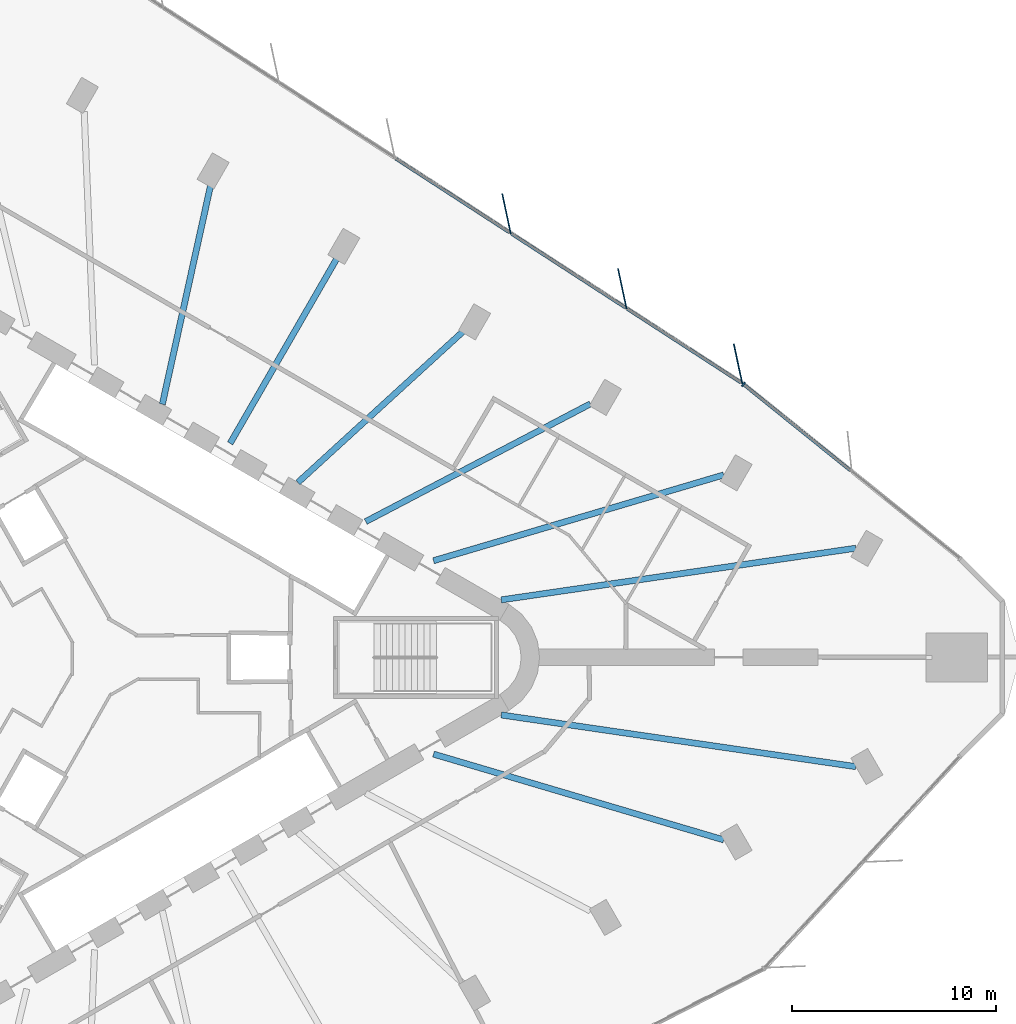
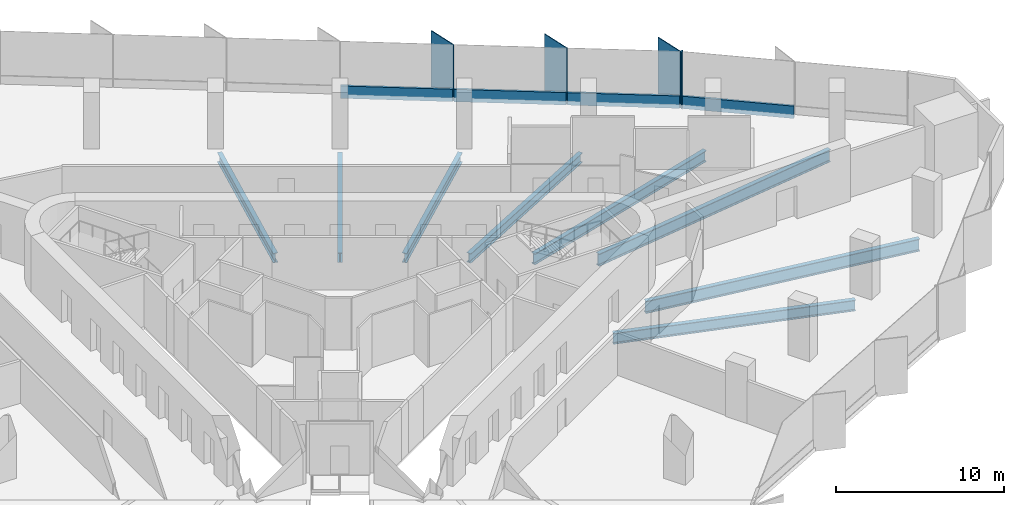
# One storey, part 5 of 14: 8 beams, 8 members, 2 elements without a shape of their own.
"""IFC4 building model written with IfcOpenShell, lengths in metres."""

import ifcopenshell
import ifcopenshell.guid

model = None  # the IFC model being written
_history = None  # IfcOwnerHistory: only IFC2X3 demands one
_inside = {}  # id of a spatial element -> (the spatial element, [elements in it])
_under = {}  # id of a project, library or spatial element -> (it, [spatial elements below it])
_declared = {}  # id of a project -> (the project, [libraries it declares])
_typed = {}  # id of a type object -> (the type object, [elements of that type])
_made_of = {}  # id of a material, layer set ... -> (it, [elements and type objects made of it])


def new_model(schema):
    """Start an empty IFC model of exactly this schema.

    Asked for "IFC4X3", IfcOpenShell would pick the latest addendum, in which some entities
    have other attributes; the version numbers below select the first issue.
    IFC2X3 requires an IfcOwnerHistory on every rooted entity: one is made here for all.
    """
    global model, _history
    if schema == "IFC4X3":
        model = ifcopenshell.file(schema_version=(4, 3, 0, 0))
    else:
        model = ifcopenshell.file(schema=schema)
    _inside.clear()
    _under.clear()
    _declared.clear()
    _typed.clear()
    _made_of.clear()
    _history = None
    if model.schema == "IFC2X3":
        org = make("IfcOrganization", Name="unknown")
        user = make(
            "IfcPersonAndOrganization",
            ThePerson=make("IfcPerson", FamilyName="unknown"),
            TheOrganization=org,
        )
        app = make(
            "IfcApplication",
            ApplicationDeveloper=org,
            Version="unknown",
            ApplicationFullName="unknown",
            ApplicationIdentifier="unknown",
        )
        _history = make(
            "IfcOwnerHistory",
            OwningUser=user,
            OwningApplication=app,
            ChangeAction="ADDED",
            CreationDate=0,
        )
    return model


def make(cls, **values):
    """One entity of the class cls with the attributes given. An attribute that is None is left unset."""
    return model.create_entity(
        cls, **{name: value for name, value in values.items() if value is not None}
    )


def rooted(cls, **values):
    """An entity with a GlobalId (a new one), such as an element, a storey or a relation."""
    return make(cls, GlobalId=ifcopenshell.guid.new(), OwnerHistory=_history, **values)


def si_unit(unit_type, name, prefix=None):
    """IfcSIUnit, for example si_unit("LENGTHUNIT", "METRE", prefix="MILLI")."""
    return make("IfcSIUnit", UnitType=unit_type, Prefix=prefix, Name=name)


def assignment(units):
    """IfcUnitAssignment: the units of a project."""
    return None if units is None else make("IfcUnitAssignment", Units=units)


def point(xyz):
    """IfcCartesianPoint."""
    return None if xyz is None else make("IfcCartesianPoint", Coordinates=xyz)


def direction(xyz):
    """IfcDirection."""
    return None if xyz is None else make("IfcDirection", DirectionRatios=xyz)


def frame(location, z_axis=None, x_axis=None):
    """IfcAxis2Placement3D, a coordinate frame: its origin and axes. An axis left out is left unset."""
    return make(
        "IfcAxis2Placement3D",
        Location=point(location),
        Axis=direction(z_axis),
        RefDirection=direction(x_axis),
    )


def frame_2d(location, x_axis=None):
    """IfcAxis2Placement2D, a coordinate frame in the plane: its origin and x axis."""
    return make(
        "IfcAxis2Placement2D", Location=point(location), RefDirection=direction(x_axis)
    )


def origin():
    """The frame at (0, 0, 0) with its axes left unset."""
    return frame((0.0, 0.0, 0.0))


def origin_2d():
    """The frame at (0, 0) in the plane with its x axis left unset."""
    return frame_2d((0.0, 0.0))


def place(relative_to, where):
    """IfcLocalPlacement: puts the frame where relative to a parent placement (None: the world)."""
    return make(
        "IfcLocalPlacement", PlacementRelTo=relative_to, RelativePlacement=where
    )


def context(
    kind, dimensions, precision=None, world=None, true_north=None, identifier=None
):
    """IfcGeometricRepresentationContext, for example the 3D "Model" context."""
    return make(
        "IfcGeometricRepresentationContext",
        ContextIdentifier=identifier,
        ContextType=kind,
        CoordinateSpaceDimension=dimensions,
        Precision=precision,
        WorldCoordinateSystem=world,
        TrueNorth=true_north,
    )


def subcontext(parent, identifier, kind, view, scale=None):
    """IfcGeometricRepresentationSubContext, for example "Body" below "Model"."""
    return make(
        "IfcGeometricRepresentationSubContext",
        ContextIdentifier=identifier,
        ContextType=kind,
        ParentContext=parent,
        TargetScale=scale,
        TargetView=view,
    )


def project(units=None, contexts=None):
    """IfcProject with its units and contexts."""
    return rooted(
        "IfcProject",
        Name="project",
        RepresentationContexts=contexts,
        UnitsInContext=assignment(units),
    )


def spatial(cls, under=None, at=None, **own):
    """A site, building, storey or space (cls), placed at a placement, below another one or the project."""
    s = rooted(cls, ObjectPlacement=at, **own)
    if under is not None:
        _under.setdefault(under.id(), (under, []))[1].append(s)
    return s


def profile(cls, at=None, kind="AREA", **sizes):
    """A parametric profile (cls). Its sizes go by their IFC names, for example OverallWidth=200.0."""
    return make(cls, ProfileType=kind, Position=at, **sizes)


def rectangle(**sizes):
    """IfcRectangleProfileDef."""
    return profile("IfcRectangleProfileDef", **sizes)


def i_section(**sizes):
    """IfcIShapeProfileDef."""
    return profile("IfcIShapeProfileDef", **sizes)


def extrude(swept, where, along, depth):
    """IfcExtrudedAreaSolid: the profile swept, set in the frame where, extruded along a direction by depth."""
    return make(
        "IfcExtrudedAreaSolid",
        SweptArea=swept,
        Position=where,
        ExtrudedDirection=direction(along),
        Depth=depth,
    )


def shape(context_of_items, identifier, shape_type, items):
    """IfcShapeRepresentation: the items that make up one representation, for example the "Body"."""
    return make(
        "IfcShapeRepresentation",
        ContextOfItems=context_of_items,
        RepresentationIdentifier=identifier,
        RepresentationType=shape_type,
        Items=items,
    )


def material(Name=None, Category=None):
    """IfcMaterial."""
    return make("IfcMaterial", Name=Name, Category=Category)


def material_profile(
    of_material, cross_section, Name=None, Category=None, Priority=None
):
    """IfcMaterialProfile: a cross section and its material."""
    return make(
        "IfcMaterialProfile",
        Name=Name,
        Material=of_material,
        Profile=cross_section,
        Priority=Priority,
        Category=Category,
    )


def profile_set(profiles, Name=None, composite=None):
    """IfcMaterialProfileSet."""
    return make(
        "IfcMaterialProfileSet",
        Name=Name,
        MaterialProfiles=profiles,
        CompositeProfile=composite,
    )


def made_of(thing, what):
    """Note that an element or type object is made of a material, layer set ...; save() writes the relation."""
    if what is not None:
        _made_of.setdefault(what.id(), (what, []))[1].append(thing)
    return thing


def type_object(cls, material=None, **own):
    """A type object (cls), such as IfcWallType, which elements share."""
    return made_of(rooted(cls, **own), material)


def element(
    cls,
    number,
    at=None,
    inside=None,
    cuts=None,
    type_object=None,
    material=None,
    context=None,
    identifier="Body",
    shape_type=None,
    held_by="IfcProductDefinitionShape",
    body=None,
    shapes=None,
    **own,
):
    """One element of the class cls, such as IfcWall. Its Tag is "e" and its number.

    at: its placement. inside: the storey or other place that contains it. cuts: it is an
    opening in that element (IfcRelVoidsElement). A single representation is given by context,
    identifier, shape_type and body (its items); several are given by shapes. held_by: the class
    of the entity that holds the representations. save() writes the other relations.
    """
    e = rooted(cls, Tag="e%d" % number, ObjectPlacement=at, **own)
    if body is not None:
        shapes = [shape(context, identifier, shape_type, body)]
    if shapes is not None:
        e.Representation = make(held_by, Representations=shapes)
    if inside is not None:
        _inside.setdefault(inside.id(), (inside, []))[1].append(e)
    if cuts is not None:
        rooted(
            "IfcRelVoidsElement", RelatingBuildingElement=cuts, RelatedOpeningElement=e
        )
    if type_object is not None:
        _typed.setdefault(type_object.id(), (type_object, []))[1].append(e)
    return made_of(e, material)


def aggregate(whole, parts):
    """IfcRelAggregates: a whole, such as a stair, and the parts it consists of."""
    return rooted("IfcRelAggregates", RelatingObject=whole, RelatedObjects=parts)


def save(model, path):
    """Write the relations noted so far, then the file.

    IfcRelAggregates (storeys below a building ...), IfcRelContainedInSpatialStructure (elements
    in a storey), IfcRelDefinesByType, IfcRelAssociatesMaterial and IfcRelDeclares: one each for
    every whole, place, type object, material and project.
    """
    for whole, parts in _under.values():
        aggregate(whole, parts)
    for where, things in _inside.values():
        rooted(
            "IfcRelContainedInSpatialStructure",
            RelatedElements=things,
            RelatingStructure=where,
        )
    for kind, things in _typed.values():
        rooted("IfcRelDefinesByType", RelatedObjects=things, RelatingType=kind)
    for what, things in _made_of.values():
        rooted("IfcRelAssociatesMaterial", RelatedObjects=things, RelatingMaterial=what)
    for by, libraries in _declared.values():
        rooted("IfcRelDeclares", RelatingContext=by, RelatedDefinitions=libraries)
    model.write(path)


model = new_model("IFC4")

# Units and contexts
model_context = context("Model", 3, precision=1e-05, world=origin(), true_north=direction((0.0, 1.0)))
body_context = subcontext(model_context, "Body", "Model", "MODEL_VIEW")
ifc_project = project(units=[si_unit("LENGTHUNIT", "METRE"), si_unit("AREAUNIT", "SQUARE_METRE"), si_unit("VOLUMEUNIT", "CUBIC_METRE"), si_unit("PLANEANGLEUNIT", "RADIAN"), si_unit("MASSUNIT", "GRAM", prefix="KILO")], contexts=[model_context])

# Site, building, storey
site_placement = place(None, origin())
site = spatial("IfcSite", under=ifc_project, at=site_placement, CompositionType="ELEMENT")
building_placement = place(site_placement, origin())
building = spatial("IfcBuilding", under=site, at=building_placement, Name="Tanit Gate Tower", CompositionType="ELEMENT")
storey_placement = place(building_placement, frame((0.0, 0.0, 70.10009765625)))
storey = spatial("IfcBuildingStorey", under=building, at=storey_placement, Name="L13", CompositionType="ELEMENT", Elevation=70.10009765625)

# Curtain wall, members
ifc_material_1 = material(Name="Aluminium bronze anodised and glass", Category="aluminium")
curtain_wall_type = type_object("IfcCurtainWallType", Name="Curtain wall typical low", PredefinedType="NOTDEFINED", material=ifc_material_1)
curtain_wall_1_placement = place(storey_placement, origin())
curtain_wall_1 = element("IfcCurtainWall", 1, at=curtain_wall_1_placement, inside=storey, type_object=curtain_wall_type, Name="Curtain wall L13 NE2", PredefinedType="NOTDEFINED")
ifc_material_2 = material(Name="Aluminium bronze anodised", Category="aluminium")
ifc_material_profile_1 = material_profile(ifc_material_2, rectangle(XDim=2.0, YDim=0.055908203125, at=origin_2d()), Name="56x2000 bronze fin mullion")
ifc_profile_set_1 = profile_set([ifc_material_profile_1], Name="Aluminium bronze anodised")
member_type_1 = type_object("IfcMemberType", Name="FIN MULLION 56x2000 bronze", PredefinedType="MULLION", material=ifc_profile_set_1)
member_1_placement = place(storey_placement, frame((30.916748046875, 14.369384765625, -0.300048828125), z_axis=(0.0, 0.0, 1.0), x_axis=(0.208373118697, -0.978049407445, 0.0)))
member_1 = element("IfcMember", 2, at=member_1_placement, type_object=member_type_1, Name="Fin mullion L13 NE2.1", PredefinedType="MULLION", context=body_context, shape_type="SweptSolid", body=[
    extrude(rectangle(XDim=2.0, YDim=0.055908203125, at=origin_2d()), origin(), (0.0, 0.0, 1.0), 4.099853515625),
])
member_2_placement = place(storey_placement, frame((25.248291015625, 18.046875, -0.300048828125), z_axis=(0.0, 0.0, 1.0), x_axis=(0.208373118697, -0.978049407445, 0.0)))
member_2 = element("IfcMember", 3, at=member_2_placement, type_object=member_type_1, Name="Fin mullion L13 NE2.2", PredefinedType="MULLION", context=body_context, shape_type="SweptSolid", body=[
    extrude(rectangle(XDim=2.0, YDim=0.055908203125, at=origin_2d()), origin(), (0.0, 0.0, 1.0), 4.099853515625),
])
member_3_placement = place(storey_placement, frame((19.579833984375, 21.72412109375, -0.300048828125), z_axis=(0.0, 0.0, 1.0), x_axis=(0.208373118697, -0.978049407445, 0.0)))
member_3 = element("IfcMember", 4, at=member_3_placement, type_object=member_type_1, Name="Fin mullion L13 NE2.3", PredefinedType="MULLION", context=body_context, shape_type="SweptSolid", body=[
    extrude(rectangle(XDim=2.0, YDim=0.055908203125, at=origin_2d()), origin(), (0.0, 0.0, 1.0), 4.099853515625),
])

# Curtain wall, member
curtain_wall_2_placement = place(storey_placement, origin())
curtain_wall_2 = element("IfcCurtainWall", 5, at=curtain_wall_2_placement, inside=storey, type_object=curtain_wall_type, Name="Curtain wall L13 NE1", PredefinedType="NOTDEFINED")
ifc_material_3 = material(Name="Aluminium bronze anodised", Category="aluminium")
ifc_material_profile_2 = material_profile(ifc_material_3, rectangle(XDim=0.239990234375, YDim=0.080078125, at=origin_2d()), Name="80x240 bronze mullion")
ifc_profile_set_2 = profile_set([ifc_material_profile_2], Name="Aluminium bronze anodised")
member_type_2 = type_object("IfcMemberType", Name="Mullion 80x240 typical low", PredefinedType="MULLION", material=ifc_profile_set_2)
member_4_placement = place(storey_placement, frame((31.18505859375, 13.36669921875, -0.300048828125), z_axis=(0.0, 0.0, 1.0), x_axis=(-0.627373717925, -0.77871831753, 0.0)))
member_4 = element("IfcMember", 6, at=member_4_placement, type_object=member_type_2, Name="Mullion L13 NE1.3", PredefinedType="MULLION", context=body_context, shape_type="SweptSolid", body=[
    extrude(rectangle(XDim=0.239990234375, YDim=0.080078125, at=origin_2d()), origin(), (0.0, 0.0, 1.0), 4.099853515625),
])

# Beams
ifc_material_4 = material(Name="Steel S355", Category="steel")
ifc_material_profile_3 = material_profile(ifc_material_4, i_section(OverallWidth=0.300048828125, OverallDepth=0.68994140625, WebThickness=0.014404296875, FlangeThickness=0.027099609375, FilletRadius=0.027099609375, at=origin_2d()), Name="HEA 700")
ifc_profile_set_3 = profile_set([ifc_material_profile_3], Name="Steel S355")
beam_type_1 = type_object("IfcBeamType", Name="RADIAL GIRDER HEA 700 S355", PredefinedType="BEAM", material=ifc_profile_set_3)
beam_1_placement = place(storey_placement, frame((23.688232421875, 12.413330078125, -0.64501953125), z_axis=(-0.885753028524, -0.464156840368, 0.0), x_axis=(0.464156840368, -0.885753028524, 0.0)))
element("IfcBeam", 7, at=beam_1_placement, inside=storey, type_object=beam_type_1, Name="RADIAL GIRDER", PredefinedType="BEAM", context=body_context, shape_type="SweptSolid", body=[
    extrude(i_section(OverallWidth=0.300048828125, OverallDepth=0.68994140625, WebThickness=0.014404296875, FlangeThickness=0.027099609375, FilletRadius=0.027099609375, at=origin_2d()), origin(), (0.0, 0.0, 1.0), 12.419189453125),
])
beam_2_placement = place(storey_placement, frame((17.492919921875, 15.990478515625, -0.64501953125), z_axis=(-0.738094457914, -0.674697392315, 0.0), x_axis=(0.674697392315, -0.738094457914, 0.0)))
element("IfcBeam", 8, at=beam_2_placement, inside=storey, type_object=beam_type_1, Name="RADIAL GIRDER", PredefinedType="BEAM", context=body_context, shape_type="SweptSolid", body=[
    extrude(i_section(OverallWidth=0.300048828125, OverallDepth=0.68994140625, WebThickness=0.014404296875, FlangeThickness=0.027099609375, FilletRadius=0.027099609375, at=origin_2d()), origin(), (0.0, 0.0, 1.0), 11.006103515625),
])
beam_3_placement = place(storey_placement, frame((11.29736328125, 19.5673828125, -0.64501953125), z_axis=(-0.500010476433, -0.866019355129, 0.0), x_axis=(0.866019355129, -0.500010476433, 0.0)))
element("IfcBeam", 9, at=beam_3_placement, inside=storey, type_object=beam_type_1, Name="RADIAL GIRDER", PredefinedType="BEAM", context=body_context, shape_type="SweptSolid", body=[
    extrude(i_section(OverallWidth=0.300048828125, OverallDepth=0.68994140625, WebThickness=0.014404296875, FlangeThickness=0.027099609375, FilletRadius=0.027099609375, at=origin_2d()), origin(), (0.0, 0.0, 1.0), 10.492431640625),
])
beam_4_placement = place(storey_placement, frame((5.101806640625, 23.144287109375, -0.64501953125), z_axis=(-0.215262511862, -0.976556220085, 0.0), x_axis=(0.976556220085, -0.215262511862, 0.0)))
element("IfcBeam", 10, at=beam_4_placement, inside=storey, type_object=beam_type_1, Name="RADIAL GIRDER", PredefinedType="BEAM", context=body_context, shape_type="SweptSolid", body=[
    extrude(i_section(OverallWidth=0.300048828125, OverallDepth=0.68994140625, WebThickness=0.014404296875, FlangeThickness=0.027099609375, FilletRadius=0.027099609375, at=origin_2d()), origin(), (0.0, 0.0, 1.0), 11.005859375),
])
ifc_material_5 = material(Name="Steel S355", Category="steel")
ifc_material_profile_4 = material_profile(ifc_material_5, i_section(OverallWidth=0.300048828125, OverallDepth=0.7900390625, WebThickness=0.014892578125, FlangeThickness=0.028076171875, FilletRadius=0.030029296875, at=origin_2d()), Name="HEA 800")
ifc_profile_set_4 = profile_set([ifc_material_profile_4], Name="Steel S355")
beam_type_2 = type_object("IfcBeamType", Name="RADIAL GIRDER HEA 800 S355", PredefinedType="BEAM", material=ifc_profile_set_4)
for number, where, z_axis, x_axis, name in (
    (11, (30.21435546875, -8.93408203125, -0.695068359375), (-0.958956219652, 0.283554172585, 0.0), (-0.283554172585, -0.958956219652, 0.0), "RADIAL GIRDER"),
    (12, (30.21435546875, 8.93408203125, -0.695068359375), (-0.958956219652, -0.283554172585, 0.0), (0.283554172585, -0.958956219652, 0.0), "RADIAL GIRDER"),
):
    element("IfcBeam", number, at=place(storey_placement, frame(where, z_axis=z_axis, x_axis=x_axis)), inside=storey, type_object=beam_type_2, Name=name, PredefinedType="BEAM", context=body_context, shape_type="SweptSolid", body=[
        extrude(i_section(OverallWidth=0.300048828125, OverallDepth=0.7900390625, WebThickness=0.014892578125, FlangeThickness=0.028076171875, FilletRadius=0.030029296875, at=origin_2d()), origin(), (0.0, 0.0, 1.0), 14.816162109375),
    ])
ifc_material_6 = material(Name="Steel S355", Category="steel")
ifc_material_profile_5 = material_profile(ifc_material_6, i_section(OverallWidth=0.300048828125, OverallDepth=0.889892578125, WebThickness=0.01611328125, FlangeThickness=0.030029296875, FilletRadius=0.030029296875, at=origin_2d()), Name="HEA 900")
ifc_profile_set_5 = profile_set([ifc_material_profile_5], Name="Steel S355")
beam_type_3 = type_object("IfcBeamType", Name="RADIAL GIRDER HEA 900 S355", PredefinedType="BEAM", material=ifc_profile_set_5)
for number, where, z_axis, x_axis, name in (
    (13, (36.677978515625, -5.3466796875, -0.7451171875), (-0.989542297622, 0.14424299365, 0.0), (-0.14424299365, -0.989542297622, 0.0), "RADIAL GIRDER"),
    (14, (36.677978515625, 5.3466796875, -0.7451171875), (-0.989542297622, -0.14424299365, 0.0), (0.14424299365, -0.989542297622, 0.0), "RADIAL GIRDER"),
):
    element("IfcBeam", number, at=place(storey_placement, frame(where, z_axis=z_axis, x_axis=x_axis)), inside=storey, type_object=beam_type_3, Name=name, PredefinedType="BEAM", context=body_context, shape_type="SweptSolid", body=[
        extrude(i_section(OverallWidth=0.300048828125, OverallDepth=0.889892578125, WebThickness=0.01611328125, FlangeThickness=0.030029296875, FilletRadius=0.030029296875, at=origin_2d()), origin(), (0.0, 0.0, 1.0), 17.53662109375),
    ])

# Member
ifc_material_7 = material(Name="Aluminium bronze anodised", Category="aluminium")
ifc_material_profile_6 = material_profile(ifc_material_7, rectangle(XDim=0.159912109375, YDim=0.89990234375, at=origin_2d()), Name="160x900 bronze transom")
ifc_profile_set_6 = profile_set([ifc_material_profile_6], Name="Aluminium bronze anodised")
member_type_3 = type_object("IfcMemberType", Name="Transom 160x900 typical low", PredefinedType="USERDEFINED", material=ifc_profile_set_6)
member_5_placement = place(storey_placement, frame((36.44970703125, 9.125, 0.14990234375), z_axis=(-0.778712992198, 0.627380327856, 0.0), x_axis=(-0.627380327856, -0.778712992198, 0.0)))
member_5 = element("IfcMember", 15, at=member_5_placement, type_object=member_type_3, Name="Transom L13 NE1.2", ObjectType="TRANSOM", PredefinedType="USERDEFINED", context=body_context, shape_type="SweptSolid", body=[
    extrude(rectangle(XDim=0.159912109375, YDim=0.89990234375, at=origin_2d()), origin(), (0.0, 0.0, 1.0), 6.720947265625),
])

aggregate(curtain_wall_2, [member_4, member_5])

member_6_placement = place(storey_placement, frame((31.086669921875, 13.435302734375, 0.14990234375), z_axis=(-0.838926994438, 0.544243969194, 0.0), x_axis=(-0.544243969194, -0.838926994438, 0.0)))
member_6 = element("IfcMember", 16, at=member_6_placement, type_object=member_type_3, Name="Transom L13 NE2.1", ObjectType="TRANSOM", PredefinedType="USERDEFINED", context=body_context, shape_type="SweptSolid", body=[
    extrude(rectangle(XDim=0.159912109375, YDim=0.89990234375, at=origin_2d()), origin(), (0.0, 0.0, 1.0), 6.6767578125),
])

member_7_placement = place(storey_placement, frame((25.41845703125, 17.112548828125, 0.14990234375), z_axis=(-0.838926994438, 0.544243969194, 0.0), x_axis=(-0.544243969194, -0.838926994438, 0.0)))
member_7 = element("IfcMember", 17, at=member_7_placement, type_object=member_type_3, Name="Transom L13 NE2.2", ObjectType="TRANSOM", PredefinedType="USERDEFINED", context=body_context, shape_type="SweptSolid", body=[
    extrude(rectangle(XDim=0.159912109375, YDim=0.89990234375, at=origin_2d()), origin(), (0.0, 0.0, 1.0), 6.6767578125),
])

member_8_placement = place(storey_placement, frame((19.75, 20.789794921875, 0.14990234375), z_axis=(-0.838926994438, 0.544243969194, 0.0), x_axis=(-0.544243969194, -0.838926994438, 0.0)))
member_8 = element("IfcMember", 18, at=member_8_placement, type_object=member_type_3, Name="Transom L13 NE2.3", ObjectType="TRANSOM", PredefinedType="USERDEFINED", context=body_context, shape_type="SweptSolid", body=[
    extrude(rectangle(XDim=0.159912109375, YDim=0.89990234375, at=origin_2d()), origin(), (0.0, 0.0, 1.0), 6.6767578125),
])

aggregate(curtain_wall_1, [member_1, member_2, member_3, member_6, member_7, member_8])

save(model, "model.ifc")
